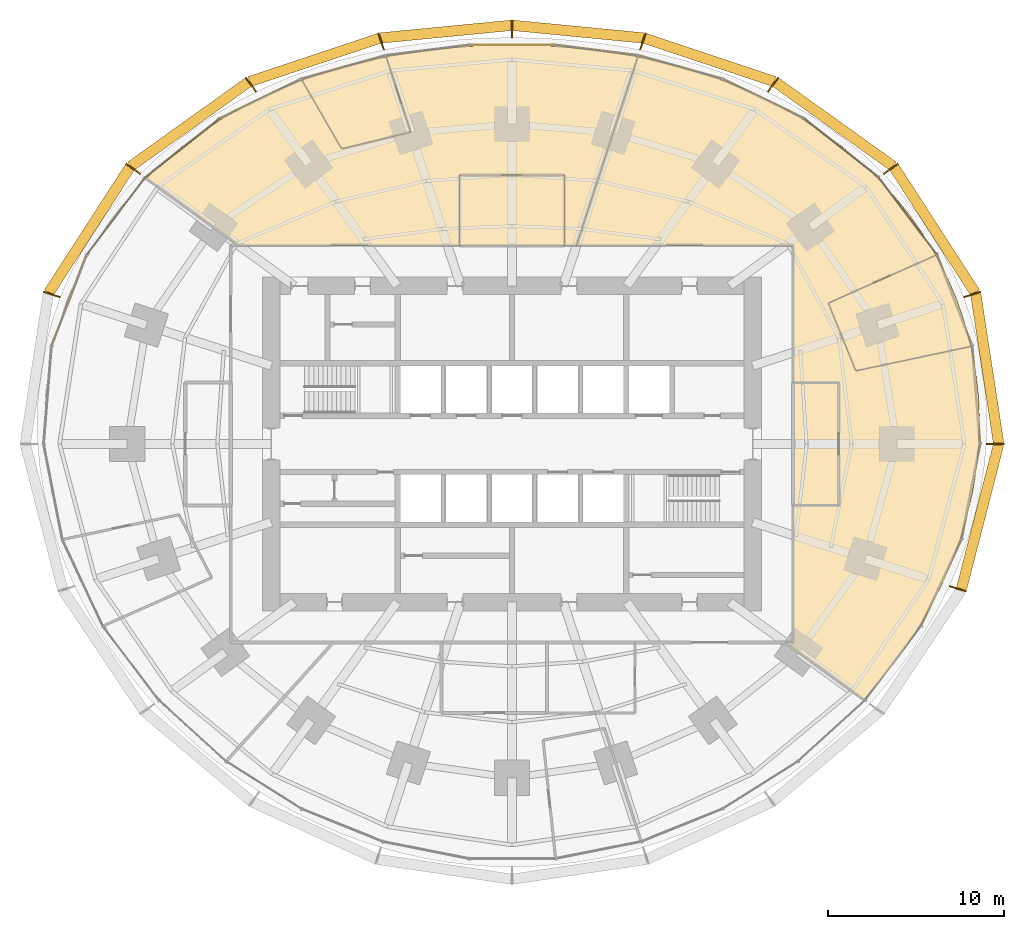
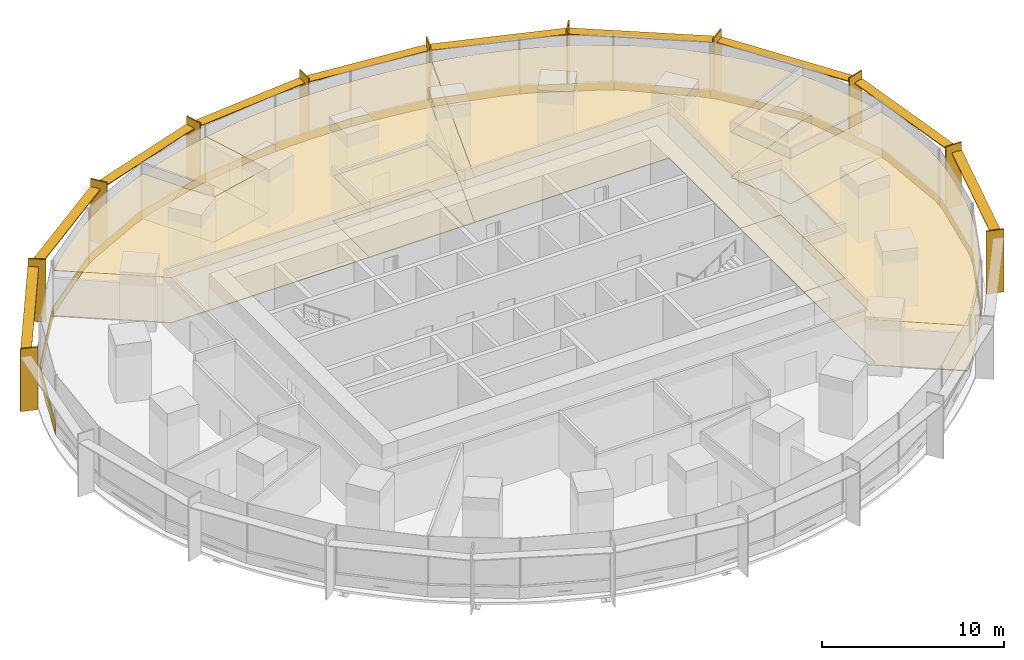
# One storey, part 15 of 15: 27 coverings, 21 shading devices.
"""IFC4 building model written with IfcOpenShell, lengths in metres."""

from ifc_helpers import new_model, si_unit, direction, frame, origin, origin_2d, place, context, subcontext, project, spatial, polyline, rectangle, outline, extrude, material, layer, layer_set, type_object, element, save


model = new_model("IFC4")

# Units and contexts
model_context = context("Model", 3, precision=1e-05, world=origin(), true_north=direction((0.0, 1.0)))
body_context = subcontext(model_context, "Body", "Model", "MODEL_VIEW")
ifc_project = project(units=[si_unit("LENGTHUNIT", "METRE"), si_unit("AREAUNIT", "SQUARE_METRE"), si_unit("VOLUMEUNIT", "CUBIC_METRE"), si_unit("PLANEANGLEUNIT", "RADIAN"), si_unit("MASSUNIT", "GRAM", prefix="KILO")], contexts=[model_context])

# Site, building, storey
site_placement = place(None, origin())
site = spatial("IfcSite", under=ifc_project, at=site_placement, CompositionType="ELEMENT")
building_placement = place(site_placement, origin())
building = spatial("IfcBuilding", under=site, at=building_placement, Name="Marramba Exchange Tower", CompositionType="ELEMENT")
storey_placement = place(building_placement, frame((0.0, 0.0, 74.199951171875)))
storey = spatial("IfcBuildingStorey", under=building, at=storey_placement, Name="L17", CompositionType="ELEMENT", Elevation=74.199951171875)

# Shading devices
ifc_material_1 = material(Name="Aluminium blade, timber-look bronze finish", Category="wood")
ifc_layer_1 = layer(ifc_material_1, 0.080078125)
ifc_layer_set_1 = layer_set([ifc_layer_1], Name="Floor-edge blade 1000x80")
shading_device_type_1 = type_object("IfcShadingDeviceType", Name="Floor-edge blade 1000x80", PredefinedType="USERDEFINED", material=ifc_layer_set_1)
for number, where, z_axis, x_axis, name in (
    (1, (27.5, 0.0, -0.16015625), (0.0, 0.0, 1.0), (1.0, 0.0, 0.0), "Floor-edge blade FB1 L17 TC01"),
    (2, (26.193115234375, 8.5107421875, -0.16015625), (0.0, 0.0, 1.0), (0.951056516295, 0.309016994375, 0.0), "Floor-edge blade FB1 L17 TC02"),
    (3, (21.56298828125, 15.66650390625, -0.16015625), (0.0, 0.0, 1.0), (0.809016994375, 0.587785252292, 0.0), "Floor-edge blade FB1 L17 TC03"),
    (4, (14.857666015625, 20.449951171875, -0.16015625), (0.0, 0.0, 1.0), (0.587785252292, 0.809016994375, 0.0), "Floor-edge blade FB1 L17 TC04"),
    (5, (7.444091796875, 22.910888671875, -0.16015625), (0.0, 0.0, 1.0), (0.309016994375, 0.951056516295, 0.0), "Floor-edge blade FB1 L17 TC05"),
    (6, (0.0, 23.6279296875, -0.16015625), (0.0, 0.0, 1.0), (0.0, 1.0, 0.0), "Floor-edge blade FB1 L17 TC06"),
    (7, (-7.444091796875, 22.910888671875, -0.16015625), (0.0, 0.0, 1.0), (-0.309016994375, 0.951056516295, 0.0), "Floor-edge blade FB1 L17 TC07"),
    (8, (-14.857666015625, 20.449951171875, -0.16015625), (0.0, 0.0, 1.0), (-0.587785252292, 0.809016994375, 0.0), "Floor-edge blade FB1 L17 TC08"),
    (9, (-21.56298828125, 15.66650390625, -0.16015625), (0.0, 0.0, 1.0), (-0.809016994375, 0.587785252292, 0.0), "Floor-edge blade FB1 L17 TC09"),
    (10, (-26.193115234375, 8.5107421875, -0.16015625), (0.0, 0.0, 1.0), (-0.951056516295, 0.309016994375, 0.0), "Floor-edge blade FB1 L17 TC10"),
    (11, (25.3740234375, -8.24462890625, -0.16015625), (0.0, 0.0, 1.0), (0.951056516295, -0.309016994375, 0.0), "Floor-edge blade FB1 L17 TC20"),
):
    element("IfcShadingDevice", number, at=place(storey_placement, frame(where, z_axis=z_axis, x_axis=x_axis)), inside=storey, type_object=shading_device_type_1, Name=name, ObjectType="FIN", PredefinedType="USERDEFINED", context=body_context, shape_type="SweptSolid", body=[
        extrude(rectangle(XDim=1.0, YDim=0.080078125, at=origin_2d()), origin(), (0.0, 0.0, 1.0), 4.199951171875),
    ])

# Coverings
ifc_material_2 = material(Name="Steel raised access floor panels", Category="steel")
ifc_layer_2 = layer(ifc_material_2, 0.050048828125)
ifc_layer_set_2 = layer_set([ifc_layer_2], Name="Raised access floor 300")
covering_type_1 = type_object("IfcCoveringType", Name="Raised access floor 300", PredefinedType="FLOORING", material=ifc_layer_set_2)
covering_1_placement = place(storey_placement, frame((0.0, 0.0, 0.25)))
element("IfcCovering", 12, at=covering_1_placement, inside=storey, type_object=covering_type_1, Name="Raised access floor RAF1 L17 Trading Floor 1", PredefinedType="FLOORING", context=body_context, shape_type="SweptSolid", body=[
    extrude(outline(polyline([(-20.810791015625, 15.119873046875), (-19.8251953125, 16.05419921875), (-18.791259765625, 16.919677734375), (-17.71630859375, 17.71630859375), (-16.60693359375, 18.44384765625), (-15.4697265625, 19.103759765625), (-14.31103515625, 19.697509765625), (-13.135986328125, 20.2275390625), (-11.94921875, 20.69677734375), (-9.69921875, 16.7998046875), (-5.76611328125, 17.74658203125), (-7.15673828125, 22.0263671875), (-5.95849609375, 22.23779296875), (-4.7626953125, 22.406982421875), (-3.5693359375, 22.535888671875), (-2.378173828125, 22.62646484375), (-1.188720703125, 22.68017578125), (0.0, 22.697998046875), (1.188720703125, 22.68017578125), (2.378173828125, 22.62646484375), (3.5693359375, 22.535888671875), (4.7626953125, 22.406982421875), (5.95849609375, 22.23779296875), (7.15673828125, 22.0263671875), (3.671630859375, 11.300048828125), (3.0, 11.300048828125), (3.0, 15.300048828125), (-3.0, 15.300048828125), (-3.0, 11.300048828125), (-15.552978515625, 11.300048828125), (-20.810791015625, 15.119873046875)])), origin(), (0.0, 0.0, 1.0), 0.050048828125),
])
covering_2_placement = place(storey_placement, frame((0.0, 0.0, 0.25)))
element("IfcCovering", 13, at=covering_2_placement, inside=storey, type_object=covering_type_1, Name="Raised access floor RAF1 L17 Trading Floor 4", PredefinedType="FLOORING", context=body_context, shape_type="SweptSolid", body=[
    extrude(outline(polyline([(16.0, -3.5), (18.60009765625, -3.5), (18.60009765625, 3.5), (16.0, 3.5), (16.0, 11.300048828125), (3.671630859375, 11.300048828125), (5.06201171875, 15.579345703125), (7.15673828125, 22.0263671875), (8.356689453125, 21.76953125), (9.556640625, 21.464599609375), (10.755126953125, 21.10791015625), (11.94921875, 20.69677734375), (13.135986328125, 20.2275390625), (14.31103515625, 19.697509765625), (15.4697265625, 19.103759765625), (16.60693359375, 18.44384765625), (17.71630859375, 17.71630859375), (18.791259765625, 16.919677734375), (19.8251953125, 16.05419921875), (20.810791015625, 15.119873046875), (21.740478515625, 14.118408203125), (22.607177734375, 13.05224609375), (23.40380859375, 11.9248046875), (24.12353515625, 10.740478515625), (18.002685546875, 8.015380859375), (19.569580078125, 4.15966796875), (26.123291015625, 5.552734375), (26.3837890625, 4.1787109375), (26.544921875, 2.7900390625), (26.6064453125, 1.394287109375), (26.570068359375, 0.0), (26.43798828125, -1.385498046875), (26.213623046875, -2.755126953125), (25.9013671875, -4.102294921875), (25.50634765625, -5.421630859375), (25.033935546875, -6.707763671875), (24.489501953125, -7.95703125), (23.879150390625, -9.166259765625), (23.208251953125, -10.3330078125), (22.482177734375, -11.455322265625), (21.7060546875, -12.531982421875), (20.88427734375, -13.5625), (20.020751953125, -14.5458984375), (16.2412109375, -11.800048828125), (15.552978515625, -11.300048828125), (16.0, -11.300048828125), (16.0, -3.5)])), origin(), (0.0, 0.0, 1.0), 0.050048828125),
])
covering_3_placement = place(storey_placement, frame((0.0, 0.0, 0.25)))
element("IfcCovering", 14, at=covering_3_placement, inside=storey, type_object=covering_type_1, Name="Raised access floor RAF1 L17 Firm Principal Office 1", PredefinedType="FLOORING", context=body_context, shape_type="SweptSolid", body=[
    extrude(outline(polyline([(-10.945068359375, 21.04248046875), (-10.755126953125, 21.10791015625), (-9.556640625, 21.464599609375), (-9.022705078125, 21.60009765625), (-8.356689453125, 21.76953125), (-7.15673828125, 22.0263671875), (-5.76611328125, 17.74658203125), (-9.69921875, 16.7998046875), (-11.94921875, 20.69677734375), (-10.945068359375, 21.04248046875)])), origin(), (0.0, 0.0, 1.0), 0.050048828125),
])
covering_4_placement = place(storey_placement, frame((0.0, 0.0, 0.25)))
element("IfcCovering", 15, at=covering_4_placement, inside=storey, type_object=covering_type_1, Name="Raised access floor RAF1 L17 Firm Principal Office 4", PredefinedType="FLOORING", context=body_context, shape_type="SweptSolid", body=[
    extrude(outline(polyline([(24.63134765625, 9.75439453125), (24.76025390625, 9.50439453125), (25.30859375, 8.22314453125), (25.763916015625, 6.9033203125), (26.123291015625, 5.552734375), (19.569580078125, 4.15966796875), (18.002685546875, 8.015380859375), (24.12353515625, 10.740478515625), (24.63134765625, 9.75439453125)])), origin(), (0.0, 0.0, 1.0), 0.050048828125),
])
covering_5_placement = place(storey_placement, frame((0.0, 0.0, 0.25)))
element("IfcCovering", 16, at=covering_5_placement, inside=storey, type_object=covering_type_1, Name="Raised access floor RAF1 L17 Data Room 1", PredefinedType="FLOORING", context=body_context, shape_type="SweptSolid", body=[
    extrude(outline(polyline([(18.60009765625, -3.5), (16.0, -3.5), (16.0, 3.5), (18.60009765625, 3.5), (18.60009765625, -3.5)])), origin(), (0.0, 0.0, 1.0), 0.050048828125),
])
covering_6_placement = place(storey_placement, frame((0.0, 0.0, 0.25)))
element("IfcCovering", 17, at=covering_6_placement, inside=storey, type_object=covering_type_1, Name="Raised access floor RAF1 L17 Meeting Room 1", PredefinedType="FLOORING", context=body_context, shape_type="SweptSolid", body=[
    extrude(outline(polyline([(3.0, 11.300048828125), (-3.0, 11.300048828125), (-3.0, 15.300048828125), (3.0, 15.300048828125), (3.0, 11.300048828125)])), origin(), (0.0, 0.0, 1.0), 0.050048828125),
])

# Shading devices
ifc_material_3 = material(Name="Aluminium sunshade, bronze anodised", Category="aluminium")
ifc_layer_3 = layer(ifc_material_3, 0.06005859375)
ifc_layer_set_3 = layer_set([ifc_layer_3], Name="SUNSHADE blade 600x60")
shading_device_type_2 = type_object("IfcShadingDeviceType", Name="SUNSHADE blade 600x60", PredefinedType="USERDEFINED", material=ifc_layer_set_3)
shading_device_1_placement = place(storey_placement, frame((27.04150390625, 4.2861328125, 3.4599609375), z_axis=(0.0, 0.0, 1.0), x_axis=(-0.151825486228, 0.988407315701, 0.0)))
element("IfcShadingDevice", 18, at=shading_device_1_placement, inside=storey, type_object=shading_device_type_2, Name="Sunshade SS1 L17 bay 01", ObjectType="SUNSHADE", PredefinedType="USERDEFINED", context=body_context, shape_type="SweptSolid", body=[
    extrude(rectangle(XDim=8.593017578125, YDim=0.60009765625, at=origin_2d()), origin(), (0.0, 0.0, 1.0), 0.06005859375),
])
shading_device_2_placement = place(storey_placement, frame((24.053955078125, 12.17822265625, 3.4599609375), z_axis=(0.0, 0.0, 1.0), x_axis=(-0.542596596948, 0.839993412462, 0.0)))
element("IfcShadingDevice", 19, at=shading_device_2_placement, inside=storey, type_object=shading_device_type_2, Name="Sunshade SS1 L17 bay 02", ObjectType="SUNSHADE", PredefinedType="USERDEFINED", context=body_context, shape_type="SweptSolid", body=[
    extrude(rectangle(XDim=8.50537109375, YDim=0.60009765625, at=origin_2d()), origin(), (0.0, 0.0, 1.0), 0.06005859375),
])
shading_device_3_placement = place(storey_placement, frame((18.35009765625, 18.19775390625, 3.4599609375), z_axis=(0.0, 0.0, 1.0), x_axis=(-0.813362978246, 0.581756534659, 0.0)))
element("IfcShadingDevice", 20, at=shading_device_3_placement, inside=storey, type_object=shading_device_type_2, Name="Sunshade SS1 L17 bay 03", ObjectType="SUNSHADE", PredefinedType="USERDEFINED", context=body_context, shape_type="SweptSolid", body=[
    extrude(rectangle(XDim=8.218505859375, YDim=0.60009765625, at=origin_2d()), origin(), (0.0, 0.0, 1.0), 0.06005859375),
])
shading_device_4_placement = place(storey_placement, frame((11.24072265625, 21.8564453125, 3.4599609375), z_axis=(0.0, 0.0, 1.0), x_axis=(-0.948697789537, 0.316184288235, 0.0)))
element("IfcShadingDevice", 21, at=shading_device_4_placement, inside=storey, type_object=shading_device_type_2, Name="Sunshade SS1 L17 bay 04", ObjectType="SUNSHADE", PredefinedType="USERDEFINED", context=body_context, shape_type="SweptSolid", body=[
    extrude(rectangle(XDim=7.793212890625, YDim=0.60009765625, at=origin_2d()), origin(), (0.0, 0.0, 1.0), 0.06005859375),
])
for number, where, z_axis, x_axis, name in (
    (22, (3.7529296875, 23.464599609375, 3.4599609375), (0.0, 0.0, 1.0), (-0.995342876176, 0.096397919302, 0.0), "Sunshade SS1 L17 bay 05"),
    (23, (-3.7529296875, 23.464599609375, 3.4599609375), (0.0, 0.0, 1.0), (-0.995342876176, -0.096397919302, 0.0), "Sunshade SS1 L17 bay 06"),
):
    element("IfcShadingDevice", number, at=place(storey_placement, frame(where, z_axis=z_axis, x_axis=x_axis)), inside=storey, type_object=shading_device_type_2, Name=name, ObjectType="SUNSHADE", PredefinedType="USERDEFINED", context=body_context, shape_type="SweptSolid", body=[
        extrude(rectangle(XDim=7.461181640625, YDim=0.60009765625, at=origin_2d()), origin(), (0.0, 0.0, 1.0), 0.06005859375),
    ])
shading_device_5_placement = place(storey_placement, frame((-11.24072265625, 21.8564453125, 3.4599609375), z_axis=(0.0, 0.0, 1.0), x_axis=(-0.948697789537, -0.316184288235, 0.0)))
element("IfcShadingDevice", 24, at=shading_device_5_placement, inside=storey, type_object=shading_device_type_2, Name="Sunshade SS1 L17 bay 07", ObjectType="SUNSHADE", PredefinedType="USERDEFINED", context=body_context, shape_type="SweptSolid", body=[
    extrude(rectangle(XDim=7.793212890625, YDim=0.60009765625, at=origin_2d()), origin(), (0.0, 0.0, 1.0), 0.06005859375),
])
shading_device_6_placement = place(storey_placement, frame((-18.35009765625, 18.19775390625, 3.4599609375), z_axis=(0.0, 0.0, 1.0), x_axis=(-0.813362978246, -0.581756534659, 0.0)))
element("IfcShadingDevice", 25, at=shading_device_6_placement, inside=storey, type_object=shading_device_type_2, Name="Sunshade SS1 L17 bay 08", ObjectType="SUNSHADE", PredefinedType="USERDEFINED", context=body_context, shape_type="SweptSolid", body=[
    extrude(rectangle(XDim=8.218505859375, YDim=0.60009765625, at=origin_2d()), origin(), (0.0, 0.0, 1.0), 0.06005859375),
])
shading_device_7_placement = place(storey_placement, frame((-24.053955078125, 12.17822265625, 3.4599609375), z_axis=(0.0, 0.0, 1.0), x_axis=(-0.542596596948, -0.839993412462, 0.0)))
element("IfcShadingDevice", 26, at=shading_device_7_placement, inside=storey, type_object=shading_device_type_2, Name="Sunshade SS1 L17 bay 09", ObjectType="SUNSHADE", PredefinedType="USERDEFINED", context=body_context, shape_type="SweptSolid", body=[
    extrude(rectangle(XDim=8.50537109375, YDim=0.60009765625, at=origin_2d()), origin(), (0.0, 0.0, 1.0), 0.06005859375),
])
shading_device_8_placement = place(storey_placement, frame((26.632080078125, -4.153076171875, 3.4599609375), z_axis=(0.0, 0.0, 1.0), x_axis=(0.249024641331, 0.968497149201, 0.0)))
element("IfcShadingDevice", 27, at=shading_device_8_placement, inside=storey, type_object=shading_device_type_2, Name="Sunshade SS1 L17 bay 20", ObjectType="SUNSHADE", PredefinedType="USERDEFINED", context=body_context, shape_type="SweptSolid", body=[
    extrude(rectangle(XDim=8.49658203125, YDim=0.60009765625, at=origin_2d()), origin(), (0.0, 0.0, 1.0), 0.06005859375),
])

# Coverings
ifc_material_4 = material(Name="Aluminium spandrel panel, bronze anodised, insulated", Category="aluminium")
ifc_layer_4 = layer(ifc_material_4, 0.050048828125)
ifc_layer_set_4 = layer_set([ifc_layer_4], Name="Spandrel panel 800")
covering_type_2 = type_object("IfcCoveringType", Name="Spandrel panel 800", PredefinedType="CLADDING", material=ifc_layer_set_4)
covering_7_placement = place(storey_placement, frame((26.42578125, 2.78466796875, 0.0), z_axis=(0.0, 0.0, 1.0), x_axis=(-0.080275227657, 0.996772736297, 0.0)))
element("IfcCovering", 28, at=covering_7_placement, inside=storey, type_object=covering_type_2, Name="Spandrel panel SP1 L17 F01", PredefinedType="CLADDING", context=body_context, shape_type="SweptSolid", body=[
    extrude(rectangle(XDim=5.58740234375, YDim=0.050048828125, at=origin_2d()), origin(), (0.0, 0.0, 1.0), 0.800048828125),
])
covering_8_placement = place(storey_placement, frame((25.198974609375, 8.171142578125, 0.0), z_axis=(0.0, 0.0, 1.0), x_axis=(-0.359525512701, 0.933135255854, 0.0)))
element("IfcCovering", 29, at=covering_8_placement, inside=storey, type_object=covering_type_2, Name="Spandrel panel SP1 L17 F02", PredefinedType="CLADDING", context=body_context, shape_type="SweptSolid", body=[
    extrude(rectangle(XDim=5.57666015625, YDim=0.050048828125, at=origin_2d()), origin(), (0.0, 0.0, 1.0), 0.800048828125),
])
covering_9_placement = place(storey_placement, frame((22.535888671875, 12.969970703125, 0.0), z_axis=(0.0, 0.0, 1.0), x_axis=(-0.602989761876, 0.797748924834, 0.0)))
element("IfcCovering", 30, at=covering_9_placement, inside=storey, type_object=covering_type_2, Name="Spandrel panel SP1 L17 F03", PredefinedType="CLADDING", context=body_context, shape_type="SweptSolid", body=[
    extrude(rectangle(XDim=5.5078125, YDim=0.050048828125, at=origin_2d()), origin(), (0.0, 0.0, 1.0), 0.800048828125),
])
covering_10_placement = place(storey_placement, frame((18.767822265625, 16.8349609375, 0.0), z_axis=(0.0, 0.0, 1.0), x_axis=(-0.784087946735, 0.620649733574, 0.0)))
element("IfcCovering", 31, at=covering_10_placement, inside=storey, type_object=covering_type_2, Name="Spandrel panel SP1 L17 F04", PredefinedType="CLADDING", context=body_context, shape_type="SweptSolid", body=[
    extrude(rectangle(XDim=5.375732421875, YDim=0.050048828125, at=origin_2d()), origin(), (0.0, 0.0, 1.0), 0.800048828125),
])
covering_11_placement = place(storey_placement, frame((14.324951171875, 19.634765625, 0.0), z_axis=(0.0, 0.0, 1.0), x_axis=(-0.899963432359, 0.435965389012, 0.0)))
element("IfcCovering", 32, at=covering_11_placement, inside=storey, type_object=covering_type_2, Name="Spandrel panel SP1 L17 F05", PredefinedType="CLADDING", context=body_context, shape_type="SweptSolid", body=[
    extrude(rectangle(XDim=5.1904296875, YDim=0.050048828125, at=origin_2d()), origin(), (0.0, 0.0, 1.0), 0.800048828125),
])
covering_12_placement = place(storey_placement, frame((9.58544921875, 21.434326171875, 0.0), z_axis=(0.0, 0.0, 1.0), x_axis=(-0.963472098411, 0.267808729475, 0.0)))
element("IfcCovering", 33, at=covering_12_placement, inside=storey, type_object=covering_type_2, Name="Spandrel panel SP1 L17 F06", PredefinedType="CLADDING", context=body_context, shape_type="SweptSolid", body=[
    extrude(rectangle(XDim=4.989990234375, YDim=0.050048828125, at=origin_2d()), origin(), (0.0, 0.0, 1.0), 0.800048828125),
])
covering_13_placement = place(storey_placement, frame((4.783935546875, 22.404296875, 0.0), z_axis=(0.0, 0.0, 1.0), x_axis=(-0.992172768222, 0.124872727203, 0.0)))
element("IfcCovering", 34, at=covering_13_placement, inside=storey, type_object=covering_type_2, Name="Spandrel panel SP1 L17 F07", PredefinedType="CLADDING", context=body_context, shape_type="SweptSolid", body=[
    extrude(rectangle(XDim=4.832763671875, YDim=0.050048828125, at=origin_2d()), origin(), (0.0, 0.0, 1.0), 0.800048828125),
])
covering_14_placement = place(storey_placement, frame((0.0, 22.7060546875, 0.0), z_axis=(0.0, 0.0, 1.0), x_axis=(-1.0, 0.0, 0.0)))
element("IfcCovering", 35, at=covering_14_placement, inside=storey, type_object=covering_type_2, Name="Spandrel panel SP1 L17 F08", PredefinedType="CLADDING", context=body_context, shape_type="SweptSolid", body=[
    extrude(rectangle(XDim=4.77294921875, YDim=0.050048828125, at=origin_2d()), origin(), (0.0, 0.0, 1.0), 0.800048828125),
])
covering_15_placement = place(storey_placement, frame((-4.783935546875, 22.404296875, 0.0), z_axis=(0.0, 0.0, 1.0), x_axis=(-0.992172768222, -0.124872727203, 0.0)))
element("IfcCovering", 36, at=covering_15_placement, inside=storey, type_object=covering_type_2, Name="Spandrel panel SP1 L17 F09", PredefinedType="CLADDING", context=body_context, shape_type="SweptSolid", body=[
    extrude(rectangle(XDim=4.832763671875, YDim=0.050048828125, at=origin_2d()), origin(), (0.0, 0.0, 1.0), 0.800048828125),
])
covering_16_placement = place(storey_placement, frame((-9.58544921875, 21.434326171875, 0.0), z_axis=(0.0, 0.0, 1.0), x_axis=(-0.963472098411, -0.267808729475, 0.0)))
element("IfcCovering", 37, at=covering_16_placement, inside=storey, type_object=covering_type_2, Name="Spandrel panel SP1 L17 F10", PredefinedType="CLADDING", context=body_context, shape_type="SweptSolid", body=[
    extrude(rectangle(XDim=4.989990234375, YDim=0.050048828125, at=origin_2d()), origin(), (0.0, 0.0, 1.0), 0.800048828125),
])
covering_17_placement = place(storey_placement, frame((-14.324951171875, 19.634765625, 0.0), z_axis=(0.0, 0.0, 1.0), x_axis=(-0.899963432359, -0.435965389012, 0.0)))
element("IfcCovering", 38, at=covering_17_placement, inside=storey, type_object=covering_type_2, Name="Spandrel panel SP1 L17 F11", PredefinedType="CLADDING", context=body_context, shape_type="SweptSolid", body=[
    extrude(rectangle(XDim=5.1904296875, YDim=0.050048828125, at=origin_2d()), origin(), (0.0, 0.0, 1.0), 0.800048828125),
])
covering_18_placement = place(storey_placement, frame((-18.767822265625, 16.8349609375, 0.0), z_axis=(0.0, 0.0, 1.0), x_axis=(-0.784087946735, -0.620649733574, 0.0)))
element("IfcCovering", 39, at=covering_18_placement, inside=storey, type_object=covering_type_2, Name="Spandrel panel SP1 L17 F12", PredefinedType="CLADDING", context=body_context, shape_type="SweptSolid", body=[
    extrude(rectangle(XDim=5.375732421875, YDim=0.050048828125, at=origin_2d()), origin(), (0.0, 0.0, 1.0), 0.800048828125),
])
covering_19_placement = place(storey_placement, frame((-22.535888671875, 12.969970703125, 0.0), z_axis=(0.0, 0.0, 1.0), x_axis=(-0.602989761876, -0.797748924834, 0.0)))
element("IfcCovering", 40, at=covering_19_placement, inside=storey, type_object=covering_type_2, Name="Spandrel panel SP1 L17 F13", PredefinedType="CLADDING", context=body_context, shape_type="SweptSolid", body=[
    extrude(rectangle(XDim=5.5078125, YDim=0.050048828125, at=origin_2d()), origin(), (0.0, 0.0, 1.0), 0.800048828125),
])
covering_20_placement = place(storey_placement, frame((-25.198974609375, 8.171142578125, 0.0), z_axis=(0.0, 0.0, 1.0), x_axis=(-0.359525512701, -0.933135255854, 0.0)))
element("IfcCovering", 41, at=covering_20_placement, inside=storey, type_object=covering_type_2, Name="Spandrel panel SP1 L17 F14", PredefinedType="CLADDING", context=body_context, shape_type="SweptSolid", body=[
    extrude(rectangle(XDim=5.57666015625, YDim=0.050048828125, at=origin_2d()), origin(), (0.0, 0.0, 1.0), 0.800048828125),
])
covering_21_placement = place(storey_placement, frame((24.432861328125, -7.90185546875, 0.0), z_axis=(0.0, 0.0, 1.0), x_axis=(0.423477213559, 0.905906755464, 0.0)))
element("IfcCovering", 42, at=covering_21_placement, inside=storey, type_object=covering_type_2, Name="Spandrel panel SP1 L17 F29", PredefinedType="CLADDING", context=body_context, shape_type="SweptSolid", body=[
    extrude(rectangle(XDim=5.439208984375, YDim=0.050048828125, at=origin_2d()), origin(), (0.0, 0.0, 1.0), 0.800048828125),
])
covering_22_placement = place(storey_placement, frame((26.117431640625, -2.718994140625, 0.0), z_axis=(0.0, 0.0, 1.0), x_axis=(0.19224858127, 0.981346260501, 0.0)))
element("IfcCovering", 43, at=covering_22_placement, inside=storey, type_object=covering_type_2, Name="Spandrel panel SP1 L17 F30", PredefinedType="CLADDING", context=body_context, shape_type="SweptSolid", body=[
    extrude(rectangle(XDim=5.54150390625, YDim=0.050048828125, at=origin_2d()), origin(), (0.0, 0.0, 1.0), 0.800048828125),
])
ifc_material_5 = material(Name="Mineral fibre ceiling tiles", Category="gypsum")
ifc_layer_5 = layer(ifc_material_5, 0.02001953125)
ifc_layer_set_5 = layer_set([ifc_layer_5], Name="Suspended ceiling 20")
covering_type_3 = type_object("IfcCoveringType", Name="Suspended ceiling 20", PredefinedType="CEILING", material=ifc_layer_set_5)
covering_23_placement = place(storey_placement, frame((0.0, 0.0, 3.300048828125)))
element("IfcCovering", 44, at=covering_23_placement, inside=storey, type_object=covering_type_3, Name="Ceiling CL1 L17 Trading Floor 1", PredefinedType="CEILING", context=body_context, shape_type="SweptSolid", body=[
    extrude(outline(polyline([(-20.810791015625, 15.119873046875), (-19.8251953125, 16.05419921875), (-18.791259765625, 16.919677734375), (-17.71630859375, 17.71630859375), (-16.60693359375, 18.44384765625), (-15.4697265625, 19.103759765625), (-14.31103515625, 19.697509765625), (-13.135986328125, 20.2275390625), (-11.94921875, 20.69677734375), (-9.69921875, 16.7998046875), (-5.76611328125, 17.74658203125), (-7.15673828125, 22.0263671875), (-5.95849609375, 22.23779296875), (-4.7626953125, 22.406982421875), (-3.5693359375, 22.535888671875), (-2.378173828125, 22.62646484375), (-1.188720703125, 22.68017578125), (0.0, 22.697998046875), (1.188720703125, 22.68017578125), (2.378173828125, 22.62646484375), (3.5693359375, 22.535888671875), (4.7626953125, 22.406982421875), (5.95849609375, 22.23779296875), (7.15673828125, 22.0263671875), (3.671630859375, 11.300048828125), (3.0, 11.300048828125), (3.0, 15.300048828125), (-3.0, 15.300048828125), (-3.0, 11.300048828125), (-15.552978515625, 11.300048828125), (-20.810791015625, 15.119873046875)])), origin(), (0.0, 0.0, 1.0), 0.02001953125),
])
covering_24_placement = place(storey_placement, frame((0.0, 0.0, 3.300048828125)))
element("IfcCovering", 45, at=covering_24_placement, inside=storey, type_object=covering_type_3, Name="Ceiling CL1 L17 Trading Floor 4", PredefinedType="CEILING", context=body_context, shape_type="SweptSolid", body=[
    extrude(outline(polyline([(16.0, -3.5), (18.60009765625, -3.5), (18.60009765625, 3.5), (16.0, 3.5), (16.0, 11.300048828125), (3.671630859375, 11.300048828125), (5.06201171875, 15.579345703125), (7.15673828125, 22.0263671875), (8.356689453125, 21.76953125), (9.556640625, 21.464599609375), (10.755126953125, 21.10791015625), (11.94921875, 20.69677734375), (13.135986328125, 20.2275390625), (14.31103515625, 19.697509765625), (15.4697265625, 19.103759765625), (16.60693359375, 18.44384765625), (17.71630859375, 17.71630859375), (18.791259765625, 16.919677734375), (19.8251953125, 16.05419921875), (20.810791015625, 15.119873046875), (21.740478515625, 14.118408203125), (22.607177734375, 13.05224609375), (23.40380859375, 11.9248046875), (24.12353515625, 10.740478515625), (18.002685546875, 8.015380859375), (19.569580078125, 4.15966796875), (26.123291015625, 5.552734375), (26.3837890625, 4.1787109375), (26.544921875, 2.7900390625), (26.6064453125, 1.394287109375), (26.570068359375, 0.0), (26.43798828125, -1.385498046875), (26.213623046875, -2.755126953125), (25.9013671875, -4.102294921875), (25.50634765625, -5.421630859375), (25.033935546875, -6.707763671875), (24.489501953125, -7.95703125), (23.879150390625, -9.166259765625), (23.208251953125, -10.3330078125), (22.482177734375, -11.455322265625), (21.7060546875, -12.531982421875), (20.88427734375, -13.5625), (20.020751953125, -14.5458984375), (16.2412109375, -11.800048828125), (15.552978515625, -11.300048828125), (16.0, -11.300048828125), (16.0, -3.5)])), origin(), (0.0, 0.0, 1.0), 0.02001953125),
])
covering_25_placement = place(storey_placement, frame((0.0, 0.0, 3.300048828125)))
element("IfcCovering", 46, at=covering_25_placement, inside=storey, type_object=covering_type_3, Name="Ceiling CL1 L17 Firm Principal Office 1", PredefinedType="CEILING", context=body_context, shape_type="SweptSolid", body=[
    extrude(outline(polyline([(-10.945068359375, 21.04248046875), (-10.755126953125, 21.10791015625), (-9.556640625, 21.464599609375), (-9.022705078125, 21.60009765625), (-8.356689453125, 21.76953125), (-7.15673828125, 22.0263671875), (-5.76611328125, 17.74658203125), (-9.69921875, 16.7998046875), (-11.94921875, 20.69677734375), (-10.945068359375, 21.04248046875)])), origin(), (0.0, 0.0, 1.0), 0.02001953125),
])
covering_26_placement = place(storey_placement, frame((0.0, 0.0, 3.300048828125)))
element("IfcCovering", 47, at=covering_26_placement, inside=storey, type_object=covering_type_3, Name="Ceiling CL1 L17 Firm Principal Office 4", PredefinedType="CEILING", context=body_context, shape_type="SweptSolid", body=[
    extrude(outline(polyline([(24.63134765625, 9.75439453125), (24.76025390625, 9.50439453125), (25.30859375, 8.22314453125), (25.763916015625, 6.9033203125), (26.123291015625, 5.552734375), (19.569580078125, 4.15966796875), (18.002685546875, 8.015380859375), (24.12353515625, 10.740478515625), (24.63134765625, 9.75439453125)])), origin(), (0.0, 0.0, 1.0), 0.02001953125),
])
covering_27_placement = place(storey_placement, frame((0.0, 0.0, 3.300048828125)))
element("IfcCovering", 48, at=covering_27_placement, inside=storey, type_object=covering_type_3, Name="Ceiling CL1 L17 Meeting Room 1", PredefinedType="CEILING", context=body_context, shape_type="SweptSolid", body=[
    extrude(outline(polyline([(3.0, 11.300048828125), (-3.0, 11.300048828125), (-3.0, 15.300048828125), (3.0, 15.300048828125), (3.0, 11.300048828125)])), origin(), (0.0, 0.0, 1.0), 0.02001953125),
])

save(model, "model.ifc")
